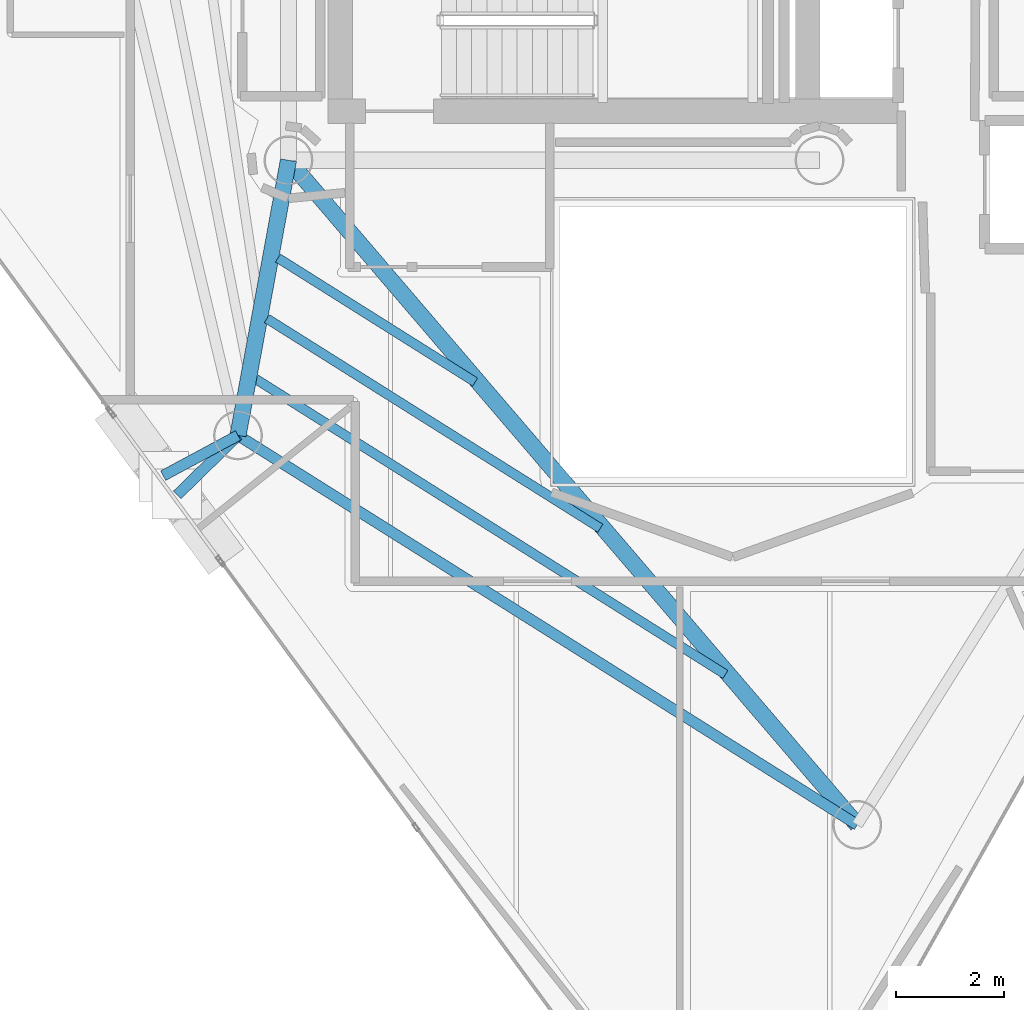
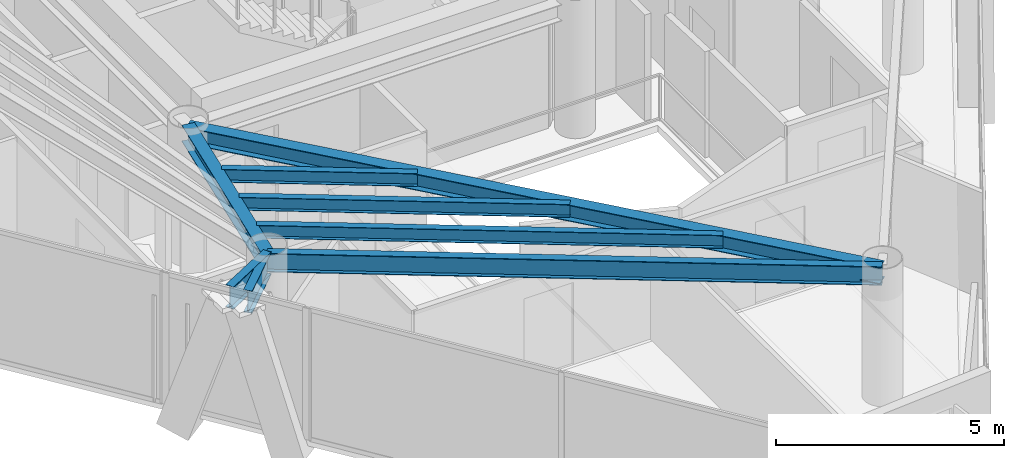
# One storey, part 3 of 21: 8 beams.
"""IFC4 building model written with IfcOpenShell, lengths in metres."""

from ifc_helpers import new_model, si_unit, direction, frame, origin, origin_2d, place, context, subcontext, project, spatial, i_section, extrude, material, material_profile, profile_set, type_object, element, save


model = new_model("IFC4")

# Units and contexts
model_context = context("Model", 3, precision=1e-05, world=origin(), true_north=direction((0.0, 1.0)))
body_context = subcontext(model_context, "Body", "Model", "MODEL_VIEW")
ifc_project = project(units=[si_unit("LENGTHUNIT", "METRE"), si_unit("AREAUNIT", "SQUARE_METRE"), si_unit("VOLUMEUNIT", "CUBIC_METRE"), si_unit("PLANEANGLEUNIT", "RADIAN"), si_unit("MASSUNIT", "GRAM", prefix="KILO")], contexts=[model_context])

# Site, building, storey
site_placement = place(None, origin())
site = spatial("IfcSite", under=ifc_project, at=site_placement, CompositionType="ELEMENT")
building_placement = place(site_placement, origin())
building = spatial("IfcBuilding", under=site, at=building_placement, Name="Qianvela Tower", CompositionType="ELEMENT")
storey_placement = place(building_placement, frame((0.0, 0.0, 302.800048828125)))
storey = spatial("IfcBuildingStorey", under=building, at=storey_placement, Name="L78", CompositionType="ELEMENT", Elevation=302.800048828125)

# Beams
ifc_material_1 = material(Name="Steel Q355B", Category="steel")
ifc_material_profile_1 = material_profile(ifc_material_1, i_section(OverallWidth=0.300048828125, OverallDepth=0.43994140625, WebThickness=0.010986328125, FlangeThickness=0.01806640625, at=origin_2d()), Name="HM440x300x11x18")
ifc_profile_set_1 = profile_set([ifc_material_profile_1], Name="Steel Q355B")
beam_type_1 = type_object("IfcBeamType", Name="BM-HM440-COLL", PredefinedType="BEAM", material=ifc_profile_set_1)
beam_1_placement = place(storey_placement, frame((28.60009765625, 23.85009765625, 3.2978515625), z_axis=(-0.180242432023, -0.983622216961, 0.0), x_axis=(0.983622216961, -0.180242432023, 0.0)))
element("IfcBeam", 1, at=beam_1_placement, inside=storey, type_object=beam_type_1, Name="L78 Radial Primary Floor Girder 4", PredefinedType="BEAM", context=body_context, shape_type="SweptSolid", body=[
    extrude(i_section(OverallWidth=0.300048828125, OverallDepth=0.43994140625, WebThickness=0.010986328125, FlangeThickness=0.01806640625, at=origin_2d()), origin(), (0.0, 0.0, 1.0), 5.16064453125),
])
beam_2_placement = place(storey_placement, frame((28.60009765625, 23.85009765625, 3.2978515625), z_axis=(0.650269293807, -0.75970378802, 0.0), x_axis=(0.75970378802, 0.650269293807, 0.0)))
element("IfcBeam", 2, at=beam_2_placement, inside=storey, type_object=beam_type_1, Name="L78 Radial Primary Floor Girder 5", PredefinedType="BEAM", context=body_context, shape_type="SweptSolid", body=[
    extrude(i_section(OverallWidth=0.300048828125, OverallDepth=0.43994140625, WebThickness=0.010986328125, FlangeThickness=0.01806640625, at=origin_2d()), origin(), (0.0, 0.0, 1.0), 16.140869140625),
])
ifc_material_2 = material(Name="Steel Q355B", Category="steel")
ifc_material_profile_2 = material_profile(ifc_material_2, i_section(OverallWidth=0.175048828125, OverallDepth=0.35009765625, WebThickness=0.007080078125, FlangeThickness=0.010986328125, at=origin_2d()), Name="HN350x175x7x11")
ifc_profile_set_2 = profile_set([ifc_material_profile_2], Name="Steel Q355B")
beam_type_2 = type_object("IfcBeamType", Name="BM-HN350-JOIST", PredefinedType="JOIST", material=ifc_profile_set_2)
beam_3_placement = place(storey_placement, frame((28.407470703125, 22.04638671875, 3.343017578125), z_axis=(0.846501223135, -0.532386775973, 0.0), x_axis=(0.532386775973, 0.846501223135, 0.0)))
element("IfcBeam", 3, at=beam_3_placement, inside=storey, type_object=beam_type_2, Name="L78 Secondary Composite Floor Joist 4.1", PredefinedType="JOIST", context=body_context, shape_type="SweptSolid", body=[
    extrude(i_section(OverallWidth=0.175048828125, OverallDepth=0.35009765625, WebThickness=0.007080078125, FlangeThickness=0.010986328125, at=origin_2d()), origin(), (0.0, 0.0, 1.0), 4.29736328125),
])
beam_4_placement = place(storey_placement, frame((28.202880859375, 20.9296875, 3.343017578125), z_axis=(0.846507641225, -0.532376570998, 0.0), x_axis=(0.532376570998, 0.846507641225, 0.0)))
element("IfcBeam", 4, at=beam_4_placement, inside=storey, type_object=beam_type_2, Name="L78 Secondary Composite Floor Joist 4.2", PredefinedType="JOIST", context=body_context, shape_type="SweptSolid", body=[
    extrude(i_section(OverallWidth=0.175048828125, OverallDepth=0.35009765625, WebThickness=0.007080078125, FlangeThickness=0.010986328125, at=origin_2d()), origin(), (0.0, 0.0, 1.0), 7.266845703125),
])
beam_5_placement = place(storey_placement, frame((27.998291015625, 19.81298828125, 3.343017578125), z_axis=(0.846499587038, -0.532389377377, 0.0), x_axis=(0.532389377377, 0.846499587038, 0.0)))
element("IfcBeam", 5, at=beam_5_placement, inside=storey, type_object=beam_type_2, Name="L78 Secondary Composite Floor Joist 4.3", PredefinedType="JOIST", context=body_context, shape_type="SweptSolid", body=[
    extrude(i_section(OverallWidth=0.175048828125, OverallDepth=0.35009765625, WebThickness=0.007080078125, FlangeThickness=0.010986328125, at=origin_2d()), origin(), (0.0, 0.0, 1.0), 10.236328125),
])
ifc_material_3 = material(Name="Steel Q355B", Category="steel")
ifc_material_profile_3 = material_profile(ifc_material_3, i_section(OverallWidth=0.199951171875, OverallDepth=0.5, WebThickness=0.010009765625, FlangeThickness=0.01611328125, at=origin_2d()), Name="HN500x200x10x16")
ifc_profile_set_3 = profile_set([ifc_material_profile_3], Name="Steel Q355B")
beam_type_3 = type_object("IfcBeamType", Name="BM-HN500-GIRD", PredefinedType="BEAM", material=ifc_profile_set_3)
beam_6_placement = place(storey_placement, frame((27.669921875, 18.77392578125, 3.26806640625), z_axis=(0.846504270846, -0.532381930046, 0.0), x_axis=(0.532381930046, 0.846504270846, 0.0)))
element("IfcBeam", 6, at=beam_6_placement, inside=storey, type_object=beam_type_3, Name="L78 Perimeter Ring Spandrel Girder 4", PredefinedType="BEAM", context=body_context, shape_type="SweptSolid", body=[
    extrude(i_section(OverallWidth=0.199951171875, OverallDepth=0.5, WebThickness=0.010009765625, FlangeThickness=0.01611328125, at=origin_2d()), origin(), (0.0, 0.0, 1.0), 13.497802734375),
])
ifc_material_4 = material(Name="Steel Q355B", Category="steel")
ifc_material_profile_4 = material_profile(ifc_material_4, i_section(OverallWidth=0.199951171875, OverallDepth=0.60009765625, WebThickness=0.010986328125, FlangeThickness=0.01708984375, at=origin_2d()), Name="HN600x200x11x17")
ifc_profile_set_4 = profile_set([ifc_material_profile_4], Name="Steel Q355B")
beam_type_4 = type_object("IfcBeamType", Name="BM-HN600-GIRD", PredefinedType="BEAM", material=ifc_profile_set_4)
beam_7_placement = place(storey_placement, frame((27.669921875, 18.77392578125, 3.218017578125), z_axis=(-0.880775721693, -0.473533660974, 0.0), x_axis=(0.473533660974, -0.880775721693, 0.0)))
element("IfcBeam", 7, at=beam_7_placement, inside=storey, type_object=beam_type_4, Name="L78 Mega-Brace Column Tie Bracket F2-1", PredefinedType="BEAM", context=body_context, shape_type="SweptSolid", body=[
    extrude(i_section(OverallWidth=0.199951171875, OverallDepth=0.60009765625, WebThickness=0.010986328125, FlangeThickness=0.01708984375, at=origin_2d()), origin(), (0.0, 0.0, 1.0), 1.56884765625),
])
beam_8_placement = place(storey_placement, frame((27.669921875, 18.77392578125, 3.218017578125), z_axis=(-0.714690280415, -0.699441064765, 0.0), x_axis=(0.699441064765, -0.714690280415, 0.0)))
element("IfcBeam", 8, at=beam_8_placement, inside=storey, type_object=beam_type_4, Name="L78 Mega-Brace Column Tie Bracket F2-2", PredefinedType="BEAM", context=body_context, shape_type="SweptSolid", body=[
    extrude(i_section(OverallWidth=0.199951171875, OverallDepth=0.60009765625, WebThickness=0.010986328125, FlangeThickness=0.01708984375, at=origin_2d()), origin(), (0.0, 0.0, 1.0), 1.569091796875),
])

save(model, "model.ifc")
